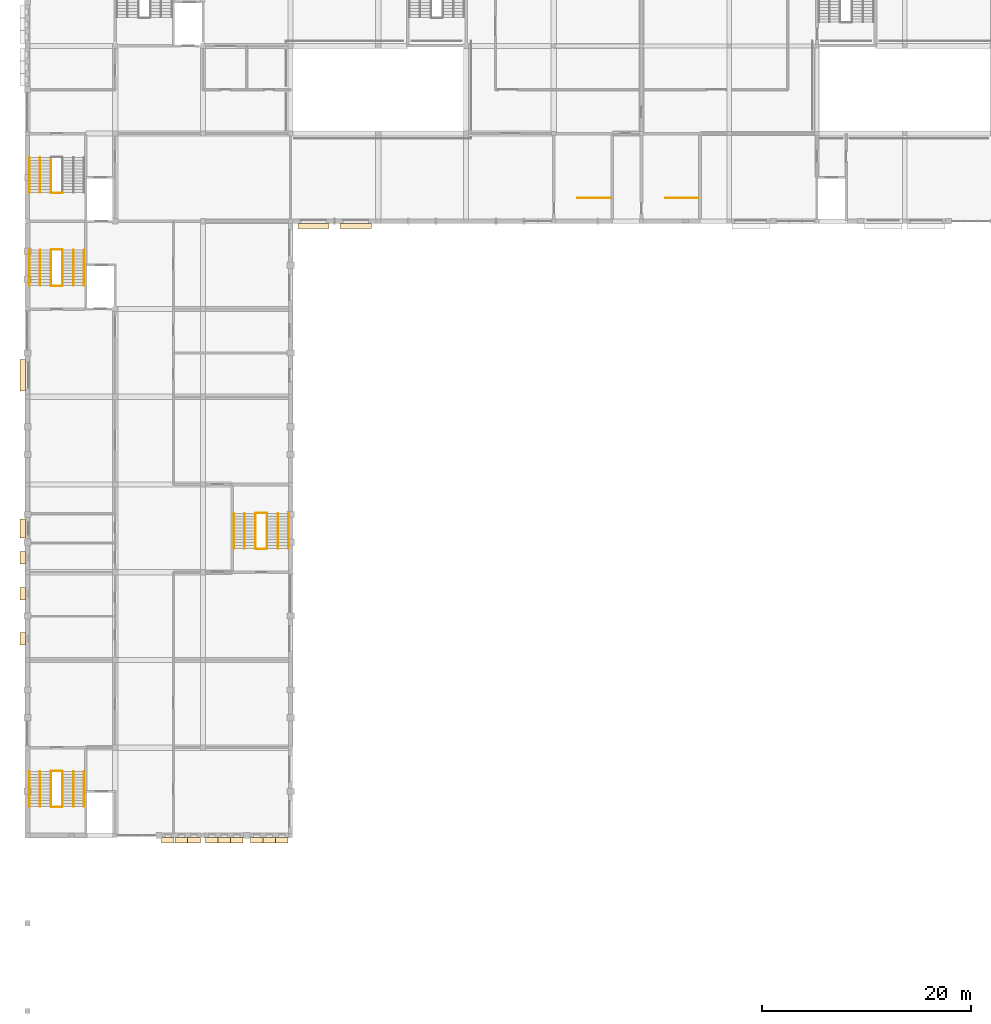
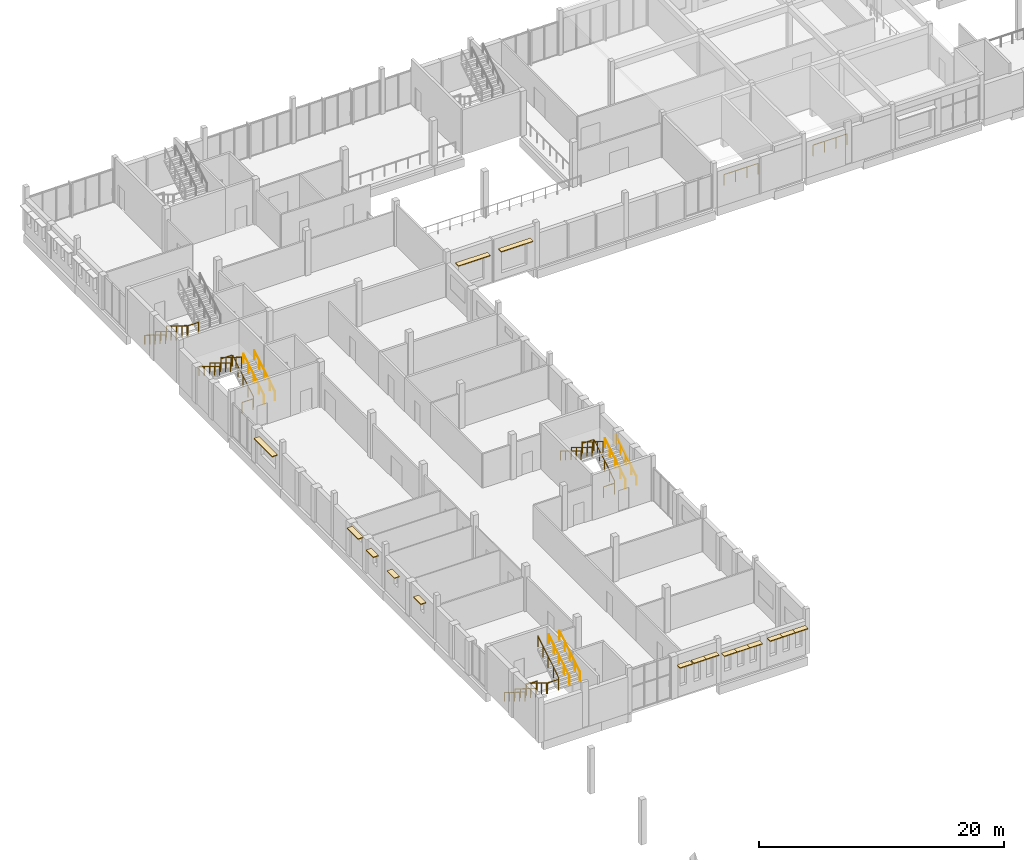
# One storey, part 35 of 38: 30 railings, 16 coverings.
"""IFC4 building model written with IfcOpenShell, lengths in metres."""

from ifc_helpers import new_model, si_unit, direction, frame, origin, origin_2d, place, context, subcontext, project, spatial, rectangle, circle, extrude, material, layer, layer_set, type_object, element, save


model = new_model("IFC4")

# Units and contexts
model_context = context("Model", 3, precision=1e-05, world=origin(), true_north=direction((0.0, 1.0)))
body_context = subcontext(model_context, "Body", "Model", "MODEL_VIEW")
ifc_project = project(units=[si_unit("LENGTHUNIT", "METRE"), si_unit("AREAUNIT", "SQUARE_METRE"), si_unit("VOLUMEUNIT", "CUBIC_METRE"), si_unit("PLANEANGLEUNIT", "RADIAN"), si_unit("MASSUNIT", "GRAM", prefix="KILO")], contexts=[model_context])

# Site, building, storey
site_placement = place(None, origin())
site = spatial("IfcSite", under=ifc_project, at=site_placement, CompositionType="ELEMENT")
building_placement = place(site_placement, origin())
building = spatial("IfcBuilding", under=site, at=building_placement, Name="Fescue Hill Polytechnic", CompositionType="ELEMENT")
storey_placement = place(building_placement, frame((0.0, 0.0, 18.0)))
storey = spatial("IfcBuildingStorey", under=building, at=storey_placement, Name="L04", CompositionType="ELEMENT", Elevation=18.0)

# Coverings
ifc_material_1 = material(Name="Precast concrete C40/50", Category="concrete")
ifc_layer = layer(ifc_material_1, 0.080078125)
ifc_layer_set = layer_set([ifc_layer], Name="Precast concrete C40/50")
covering_type = type_object("IfcCoveringType", Name="Shade blade precast 500x80", PredefinedType="CLADDING", material=ifc_layer_set)
covering_1_placement = place(storey_placement, frame((-0.43994140625, 94.449951171875, 2.75), z_axis=(0.0, 0.0, 1.0), x_axis=(0.0, -1.0, 0.0)))
element("IfcCovering", 1, at=covering_1_placement, inside=storey, type_object=covering_type, Name="SB-L04-V4-1", PredefinedType="CLADDING", context=body_context, shape_type="SweptSolid", body=[
    extrude(rectangle(XDim=3.0, YDim=0.5, at=origin_2d()), origin(), (0.0, 0.0, 1.0), 0.080078125),
])
covering_2_placement = place(storey_placement, frame((-0.43994140625, 79.800048828125, 3.050048828125), z_axis=(0.0, 0.0, 1.0), x_axis=(0.0, -1.0, 0.0)))
element("IfcCovering", 2, at=covering_2_placement, inside=storey, type_object=covering_type, Name="SB-L04-V4-2", PredefinedType="CLADDING", context=body_context, shape_type="SweptSolid", body=[
    extrude(rectangle(XDim=1.800048828125, YDim=0.5, at=origin_2d()), origin(), (0.0, 0.0, 1.0), 0.080078125),
])
for number, where, z_axis, x_axis, name in (
    (3, (-0.43994140625, 76.9833984375, 2.75), (0.0, 0.0, 1.0), (0.0, -1.0, 0.0), "SB-L04-V4-3"),
    (4, (-0.43994140625, 73.550048828125, 2.75), (0.0, 0.0, 1.0), (0.0, -1.0, 0.0), "SB-L04-V4-4"),
    (5, (-0.43994140625, 69.25, 2.75), (0.0, 0.0, 1.0), (0.0, -1.0, 0.0), "SB-L04-V4-5"),
    (6, (13.449951171875, 49.93994140625, 3.14990234375), (0.0, 0.0, 1.0), (1.0, 0.0, 0.0), "SB-L04-V4-6"),
    (7, (14.75, 49.93994140625, 3.14990234375), (0.0, 0.0, 1.0), (1.0, 0.0, 0.0), "SB-L04-V4-7"),
    (8, (15.949951171875, 49.93994140625, 3.14990234375), (0.0, 0.0, 1.0), (1.0, 0.0, 0.0), "SB-L04-V4-8"),
    (9, (17.64990234375, 49.93994140625, 2.849853515625), (0.0, 0.0, 1.0), (1.0, 0.0, 0.0), "SB-L04-V4-9"),
    (10, (18.85009765625, 49.93994140625, 2.849853515625), (0.0, 0.0, 1.0), (1.0, 0.0, 0.0), "SB-L04-V4-10"),
    (11, (20.050048828125, 49.93994140625, 2.849853515625), (0.0, 0.0, 1.0), (1.0, 0.0, 0.0), "SB-L04-V4-11"),
    (12, (21.949951171875, 49.93994140625, 2.849853515625), (0.0, 0.0, 1.0), (1.0, 0.0, 0.0), "SB-L04-V4-12"),
    (13, (23.14990234375, 49.93994140625, 2.849853515625), (0.0, 0.0, 1.0), (1.0, 0.0, 0.0), "SB-L04-V4-13"),
    (14, (24.35009765625, 49.93994140625, 2.849853515625), (0.0, 0.0, 1.0), (1.0, 0.0, 0.0), "SB-L04-V4-14"),
):
    element("IfcCovering", number, at=place(storey_placement, frame(where, z_axis=z_axis, x_axis=x_axis)), inside=storey, type_object=covering_type, Name=name, PredefinedType="CLADDING", context=body_context, shape_type="SweptSolid", body=[
        extrude(rectangle(XDim=1.199951171875, YDim=0.5, at=origin_2d()), origin(), (0.0, 0.0, 1.0), 0.080078125),
    ])
for number, where, z_axis, x_axis, name in (
    (15, (27.388916015625, 108.75, 3.050048828125), (0.0, 0.0, 1.0), (1.0, 0.0, 0.0), "SB-L04-V5-1"),
    (16, (31.436279296875, 108.75, 3.050048828125), (0.0, 0.0, 1.0), (1.0, 0.0, 0.0), "SB-L04-V5-2"),
):
    element("IfcCovering", number, at=place(storey_placement, frame(where, z_axis=z_axis, x_axis=x_axis)), inside=storey, type_object=covering_type, Name=name, PredefinedType="CLADDING", context=body_context, shape_type="SweptSolid", body=[
        extrude(rectangle(XDim=3.0, YDim=0.5, at=origin_2d()), origin(), (0.0, 0.0, 1.0), 0.080078125),
    ])

# Railings
ifc_material_2 = material(Name="Steel 350W (350 MPa)", Category="steel")
railing_type_1 = type_object("IfcRailingType", Name="Stair guard steel 1100", PredefinedType="GUARDRAIL", material=ifc_material_2)
railing_1_placement = place(storey_placement, frame((2.25, 56.52490234375, 0.173095703125)))
element("IfcRailing", 17, at=railing_1_placement, inside=storey, type_object=railing_type_1, Name="L04 ST-V4-1 stair guard 1", PredefinedType="GUARDRAIL", context=body_context, shape_type="SweptSolid", body=[
    extrude(circle(Radius=0.02392578125, at=origin_2d()), frame((0.0, 0.0, 1.076171875), z_axis=(0.0, -0.850606129759, 0.525803396734), x_axis=(1.0, 0.0, 0.0)), (0.0, 0.0, 1.0), 3.949951171875),
    extrude(circle(Radius=0.02099609375, at=origin_2d()), origin(), (0.0, 0.0, 1.0), 1.052001953125),
    extrude(circle(Radius=0.02099609375, at=origin_2d()), frame((0.0, -0.83984375, 0.519287109375)), (0.0, 0.0, 1.0), 1.052001953125),
    extrude(circle(Radius=0.02099609375, at=origin_2d()), frame((0.0, -1.679931640625, 1.03857421875)), (0.0, 0.0, 1.0), 1.052001953125),
    extrude(circle(Radius=0.02099609375, at=origin_2d()), frame((0.0, -2.52001953125, 1.5576171875)), (0.0, 0.0, 1.0), 1.052001953125),
    extrude(circle(Radius=0.02099609375, at=origin_2d()), frame((0.0, -3.35986328125, 2.076904296875)), (0.0, 0.0, 1.0), 1.052001953125),
])
railing_2_placement = place(storey_placement, frame((2.300048828125, 53.114990234375, 2.25)))
element("IfcRailing", 18, at=railing_2_placement, inside=storey, type_object=railing_type_1, Name="L04 ST-V4-1 stair guard 2", PredefinedType="GUARDRAIL", context=body_context, shape_type="SweptSolid", body=[
    extrude(circle(Radius=0.02392578125, at=origin_2d()), frame((0.0, 0.0, 1.076171875), z_axis=(1.0, 0.0, 0.0), x_axis=(0.0, 1.0, 0.0)), (0.0, 0.0, 1.0), 1.02490234375),
    extrude(circle(Radius=0.02099609375, at=origin_2d()), origin(), (0.0, 0.0, 1.0), 1.052001953125),
    extrude(circle(Radius=0.02099609375, at=origin_2d()), frame((1.02490234375, 0.0, 0.0)), (0.0, 0.0, 1.0), 1.052001953125),
])
railing_3_placement = place(storey_placement, frame((3.375, 53.1650390625, 2.423095703125)))
element("IfcRailing", 19, at=railing_3_placement, inside=storey, type_object=railing_type_1, Name="L04 ST-V4-1 stair guard 3", PredefinedType="GUARDRAIL", context=body_context, shape_type="SweptSolid", body=[
    extrude(circle(Radius=0.02392578125, at=origin_2d()), frame((0.0, 0.0, 1.076171875), z_axis=(0.0, 0.850606129759, 0.525803396734), x_axis=(-1.0, 0.0, 0.0)), (0.0, 0.0, 1.0), 3.949951171875),
    extrude(circle(Radius=0.02099609375, at=origin_2d()), origin(), (0.0, 0.0, 1.0), 1.052001953125),
    extrude(circle(Radius=0.02099609375, at=origin_2d()), frame((0.0, 0.83984375, 0.519287109375)), (0.0, 0.0, 1.0), 1.052001953125),
    extrude(circle(Radius=0.02099609375, at=origin_2d()), frame((0.0, 1.679931640625, 1.03857421875)), (0.0, 0.0, 1.0), 1.052001953125),
    extrude(circle(Radius=0.02099609375, at=origin_2d()), frame((0.0, 2.52001953125, 1.5576171875)), (0.0, 0.0, 1.0), 1.052001953125),
    extrude(circle(Radius=0.02099609375, at=origin_2d()), frame((0.0, 3.35986328125, 2.076904296875)), (0.0, 0.0, 1.0), 1.052001953125),
])
railing_4_placement = place(storey_placement, frame((2.300048828125, 56.574951171875, 0.0)))
element("IfcRailing", 20, at=railing_4_placement, inside=storey, type_object=railing_type_1, Name="L04 ST-V4-1 stair guard 4", PredefinedType="GUARDRAIL", context=body_context, shape_type="SweptSolid", body=[
    extrude(circle(Radius=0.02392578125, at=origin_2d()), frame((0.0, 0.0, 1.076171875), z_axis=(1.0, 0.0, 0.0), x_axis=(0.0, 1.0, 0.0)), (0.0, 0.0, 1.0), 1.02490234375),
    extrude(circle(Radius=0.02099609375, at=origin_2d()), origin(), (0.0, 0.0, 1.0), 1.052001953125),
    extrude(circle(Radius=0.02099609375, at=origin_2d()), frame((1.02490234375, 0.0, 0.0)), (0.0, 0.0, 1.0), 1.052001953125),
])
railing_5_placement = place(storey_placement, frame((3.375, 103.074951171875, 0.173095703125)))
element("IfcRailing", 21, at=railing_5_placement, inside=storey, type_object=railing_type_1, Name="L04 ST-V4-2 stair guard 1", PredefinedType="GUARDRAIL", context=body_context, shape_type="SweptSolid", body=[
    extrude(circle(Radius=0.02392578125, at=origin_2d()), frame((0.0, 0.0, 1.076171875), z_axis=(0.0, 0.850623216509, 0.525775754039), x_axis=(-1.0, 0.0, 0.0)), (0.0, 0.0, 1.0), 3.9501953125),
    extrude(circle(Radius=0.02099609375, at=origin_2d()), origin(), (0.0, 0.0, 1.0), 1.052001953125),
    extrude(circle(Radius=0.02099609375, at=origin_2d()), frame((0.0, 0.840087890625, 0.519287109375)), (0.0, 0.0, 1.0), 1.052001953125),
    extrude(circle(Radius=0.02099609375, at=origin_2d()), frame((0.0, 1.68017578125, 1.03857421875)), (0.0, 0.0, 1.0), 1.052001953125),
    extrude(circle(Radius=0.02099609375, at=origin_2d()), frame((0.0, 2.52001953125, 1.5576171875)), (0.0, 0.0, 1.0), 1.052001953125),
    extrude(circle(Radius=0.02099609375, at=origin_2d()), frame((0.0, 3.360107421875, 2.076904296875)), (0.0, 0.0, 1.0), 1.052001953125),
])
railing_6_placement = place(storey_placement, frame((3.324951171875, 106.485107421875, 2.25)))
element("IfcRailing", 22, at=railing_6_placement, inside=storey, type_object=railing_type_1, Name="L04 ST-V4-2 stair guard 2", PredefinedType="GUARDRAIL", context=body_context, shape_type="SweptSolid", body=[
    extrude(circle(Radius=0.02392578125, at=origin_2d()), frame((0.0, 0.0, 1.076171875), z_axis=(-1.0, 0.0, 0.0), x_axis=(0.0, -1.0, 0.0)), (0.0, 0.0, 1.0), 1.02490234375),
    extrude(circle(Radius=0.02099609375, at=origin_2d()), origin(), (0.0, 0.0, 1.0), 1.052001953125),
    extrude(circle(Radius=0.02099609375, at=origin_2d()), frame((-1.02490234375, 0.0, 0.0)), (0.0, 0.0, 1.0), 1.052001953125),
])
railing_7_placement = place(storey_placement, frame((2.25, 106.43505859375, 2.423095703125)))
element("IfcRailing", 23, at=railing_7_placement, inside=storey, type_object=railing_type_1, Name="L04 ST-V4-2 stair guard 3", PredefinedType="GUARDRAIL", context=body_context, shape_type="SweptSolid", body=[
    extrude(circle(Radius=0.02392578125, at=origin_2d()), frame((0.0, 0.0, 1.076171875), z_axis=(0.0, -0.850623216509, 0.525775754039), x_axis=(1.0, 0.0, 0.0)), (0.0, 0.0, 1.0), 3.9501953125),
    extrude(circle(Radius=0.02099609375, at=origin_2d()), origin(), (0.0, 0.0, 1.0), 1.052001953125),
    extrude(circle(Radius=0.02099609375, at=origin_2d()), frame((0.0, -0.840087890625, 0.519287109375)), (0.0, 0.0, 1.0), 1.052001953125),
    extrude(circle(Radius=0.02099609375, at=origin_2d()), frame((0.0, -1.68017578125, 1.03857421875)), (0.0, 0.0, 1.0), 1.052001953125),
    extrude(circle(Radius=0.02099609375, at=origin_2d()), frame((0.0, -2.52001953125, 1.5576171875)), (0.0, 0.0, 1.0), 1.052001953125),
    extrude(circle(Radius=0.02099609375, at=origin_2d()), frame((0.0, -3.360107421875, 2.076904296875)), (0.0, 0.0, 1.0), 1.052001953125),
])
railing_8_placement = place(storey_placement, frame((3.324951171875, 103.02490234375, 0.0)))
element("IfcRailing", 24, at=railing_8_placement, inside=storey, type_object=railing_type_1, Name="L04 ST-V4-2 stair guard 4", PredefinedType="GUARDRAIL", context=body_context, shape_type="SweptSolid", body=[
    extrude(circle(Radius=0.02392578125, at=origin_2d()), frame((0.0, 0.0, 1.076171875), z_axis=(-1.0, 0.0, 0.0), x_axis=(0.0, -1.0, 0.0)), (0.0, 0.0, 1.0), 1.02490234375),
    extrude(circle(Radius=0.02099609375, at=origin_2d()), origin(), (0.0, 0.0, 1.0), 1.052001953125),
    extrude(circle(Radius=0.02099609375, at=origin_2d()), frame((-1.02490234375, 0.0, 0.0)), (0.0, 0.0, 1.0), 1.052001953125),
])
railing_9_placement = place(storey_placement, frame((22.949951171875, 77.875, 0.173095703125)))
element("IfcRailing", 25, at=railing_9_placement, inside=storey, type_object=railing_type_1, Name="L04 ST-V4-3 stair guard 1", PredefinedType="GUARDRAIL", context=body_context, shape_type="SweptSolid", body=[
    extrude(circle(Radius=0.02392578125, at=origin_2d()), frame((0.0, 0.0, 1.076171875), z_axis=(0.0, 0.850623216509, 0.525775754039), x_axis=(-1.0, 0.0, 0.0)), (0.0, 0.0, 1.0), 3.9501953125),
    extrude(circle(Radius=0.02099609375, at=origin_2d()), origin(), (0.0, 0.0, 1.0), 1.052001953125),
    extrude(circle(Radius=0.02099609375, at=origin_2d()), frame((0.0, 0.840087890625, 0.519287109375)), (0.0, 0.0, 1.0), 1.052001953125),
    extrude(circle(Radius=0.02099609375, at=origin_2d()), frame((0.0, 1.68017578125, 1.03857421875)), (0.0, 0.0, 1.0), 1.052001953125),
    extrude(circle(Radius=0.02099609375, at=origin_2d()), frame((0.0, 2.52001953125, 1.5576171875)), (0.0, 0.0, 1.0), 1.052001953125),
    extrude(circle(Radius=0.02099609375, at=origin_2d()), frame((0.0, 3.360107421875, 2.076904296875)), (0.0, 0.0, 1.0), 1.052001953125),
])
railing_10_placement = place(storey_placement, frame((22.89990234375, 81.284912109375, 2.25)))
element("IfcRailing", 26, at=railing_10_placement, inside=storey, type_object=railing_type_1, Name="L04 ST-V4-3 stair guard 2", PredefinedType="GUARDRAIL", context=body_context, shape_type="SweptSolid", body=[
    extrude(circle(Radius=0.02392578125, at=origin_2d()), frame((0.0, 0.0, 1.076171875), z_axis=(-1.0, 0.0, 0.0), x_axis=(0.0, -1.0, 0.0)), (0.0, 0.0, 1.0), 1.02490234375),
    extrude(circle(Radius=0.02099609375, at=origin_2d()), origin(), (0.0, 0.0, 1.0), 1.052001953125),
    extrude(circle(Radius=0.02099609375, at=origin_2d()), frame((-1.02490234375, 0.0, 0.0)), (0.0, 0.0, 1.0), 1.052001953125),
])
railing_11_placement = place(storey_placement, frame((21.824951171875, 81.235107421875, 2.423095703125)))
element("IfcRailing", 27, at=railing_11_placement, inside=storey, type_object=railing_type_1, Name="L04 ST-V4-3 stair guard 3", PredefinedType="GUARDRAIL", context=body_context, shape_type="SweptSolid", body=[
    extrude(circle(Radius=0.02392578125, at=origin_2d()), frame((0.0, 0.0, 1.076171875), z_axis=(0.0, -0.850623216509, 0.525775754039), x_axis=(1.0, 0.0, 0.0)), (0.0, 0.0, 1.0), 3.9501953125),
    extrude(circle(Radius=0.02099609375, at=origin_2d()), origin(), (0.0, 0.0, 1.0), 1.052001953125),
    extrude(circle(Radius=0.02099609375, at=origin_2d()), frame((0.0, -0.840087890625, 0.519287109375)), (0.0, 0.0, 1.0), 1.052001953125),
    extrude(circle(Radius=0.02099609375, at=origin_2d()), frame((0.0, -1.68017578125, 1.03857421875)), (0.0, 0.0, 1.0), 1.052001953125),
    extrude(circle(Radius=0.02099609375, at=origin_2d()), frame((0.0, -2.52001953125, 1.5576171875)), (0.0, 0.0, 1.0), 1.052001953125),
    extrude(circle(Radius=0.02099609375, at=origin_2d()), frame((0.0, -3.360107421875, 2.076904296875)), (0.0, 0.0, 1.0), 1.052001953125),
])
railing_12_placement = place(storey_placement, frame((22.89990234375, 77.824951171875, 0.0)))
element("IfcRailing", 28, at=railing_12_placement, inside=storey, type_object=railing_type_1, Name="L04 ST-V4-3 stair guard 4", PredefinedType="GUARDRAIL", context=body_context, shape_type="SweptSolid", body=[
    extrude(circle(Radius=0.02392578125, at=origin_2d()), frame((0.0, 0.0, 1.076171875), z_axis=(-1.0, 0.0, 0.0), x_axis=(0.0, -1.0, 0.0)), (0.0, 0.0, 1.0), 1.02490234375),
    extrude(circle(Radius=0.02099609375, at=origin_2d()), origin(), (0.0, 0.0, 1.0), 1.052001953125),
    extrude(circle(Radius=0.02099609375, at=origin_2d()), frame((-1.02490234375, 0.0, 0.0)), (0.0, 0.0, 1.0), 1.052001953125),
])
railing_13_placement = place(storey_placement, frame((2.25, 115.324951171875, 0.173095703125)))
element("IfcRailing", 29, at=railing_13_placement, inside=storey, type_object=railing_type_1, Name="L04 ST-V5-1 stair guard 1", PredefinedType="GUARDRAIL", context=body_context, shape_type="SweptSolid", body=[
    extrude(circle(Radius=0.02392578125, at=origin_2d()), frame((0.0, 0.0, 1.076171875), z_axis=(0.0, -0.850606129759, 0.525803396734), x_axis=(1.0, 0.0, 0.0)), (0.0, 0.0, 1.0), 3.949951171875),
    extrude(circle(Radius=0.02099609375, at=origin_2d()), origin(), (0.0, 0.0, 1.0), 1.052001953125),
    extrude(circle(Radius=0.02099609375, at=origin_2d()), frame((0.0, -0.83984375, 0.519287109375)), (0.0, 0.0, 1.0), 1.052001953125),
    extrude(circle(Radius=0.02099609375, at=origin_2d()), frame((0.0, -1.679931640625, 1.03857421875)), (0.0, 0.0, 1.0), 1.052001953125),
    extrude(circle(Radius=0.02099609375, at=origin_2d()), frame((0.0, -2.52001953125, 1.5576171875)), (0.0, 0.0, 1.0), 1.052001953125),
    extrude(circle(Radius=0.02099609375, at=origin_2d()), frame((0.0, -3.35986328125, 2.076904296875)), (0.0, 0.0, 1.0), 1.052001953125),
])
railing_14_placement = place(storey_placement, frame((2.300048828125, 111.9150390625, 2.25)))
element("IfcRailing", 30, at=railing_14_placement, inside=storey, type_object=railing_type_1, Name="L04 ST-V5-1 stair guard 2", PredefinedType="GUARDRAIL", context=body_context, shape_type="SweptSolid", body=[
    extrude(circle(Radius=0.02392578125, at=origin_2d()), frame((0.0, 0.0, 1.076171875), z_axis=(1.0, 0.0, 0.0), x_axis=(0.0, 1.0, 0.0)), (0.0, 0.0, 1.0), 1.02490234375),
    extrude(circle(Radius=0.02099609375, at=origin_2d()), origin(), (0.0, 0.0, 1.0), 1.052001953125),
    extrude(circle(Radius=0.02099609375, at=origin_2d()), frame((1.02490234375, 0.0, 0.0)), (0.0, 0.0, 1.0), 1.052001953125),
])
for number, where, name in (
    (31, (55.875, 111.449951171875, 0.0), "L04 ST-V5-4 well guard 1"),
    (32, (64.27490234375, 111.449951171875, 0.0), "L04 ST-V4b-1 well guard 1"),
):
    element("IfcRailing", number, at=place(storey_placement, frame(where)), inside=storey, type_object=railing_type_1, Name=name, PredefinedType="GUARDRAIL", context=body_context, shape_type="SweptSolid", body=[
        extrude(circle(Radius=0.02392578125, at=origin_2d()), frame((0.0, 0.0, 1.076171875), z_axis=(-1.0, 0.0, 0.0), x_axis=(0.0, -1.0, 0.0)), (0.0, 0.0, 1.0), 3.199951171875),
        extrude(circle(Radius=0.02099609375, at=origin_2d()), origin(), (0.0, 0.0, 1.0), 1.052001953125),
        extrude(circle(Radius=0.02099609375, at=origin_2d()), frame((-1.066650390625, 0.0, 0.0)), (0.0, 0.0, 1.0), 1.052001953125),
        extrude(circle(Radius=0.02099609375, at=origin_2d()), frame((-2.13330078125, 0.0, 0.0)), (0.0, 0.0, 1.0), 1.052001953125),
        extrude(circle(Radius=0.02099609375, at=origin_2d()), frame((-3.199951171875, 0.0, 0.0)), (0.0, 0.0, 1.0), 1.052001953125),
    ])
railing_type_2 = type_object("IfcRailingType", Name="Stair handrail steel 900", PredefinedType="HANDRAIL", material=ifc_material_2)
railing_15_placement = place(storey_placement, frame((0.199951171875, 56.52490234375, 0.173095703125)))
element("IfcRailing", 33, at=railing_15_placement, inside=storey, type_object=railing_type_2, Name="L04 ST-V4-1 stair handrail 1", PredefinedType="HANDRAIL", context=body_context, shape_type="SweptSolid", body=[
    extrude(circle(Radius=0.02392578125, at=origin_2d()), frame((0.0, 0.0, 0.8759765625), z_axis=(0.0, -0.850606129759, 0.525803396734), x_axis=(1.0, 0.0, 0.0)), (0.0, 0.0, 1.0), 3.949951171875),
    extrude(circle(Radius=0.02099609375, at=origin_2d()), origin(), (0.0, 0.0, 1.0), 0.851806640625),
    extrude(circle(Radius=0.02099609375, at=origin_2d()), frame((0.0, -0.83984375, 0.519287109375)), (0.0, 0.0, 1.0), 0.851806640625),
    extrude(circle(Radius=0.02099609375, at=origin_2d()), frame((0.0, -1.679931640625, 1.03857421875)), (0.0, 0.0, 1.0), 0.851806640625),
    extrude(circle(Radius=0.02099609375, at=origin_2d()), frame((0.0, -2.52001953125, 1.5576171875)), (0.0, 0.0, 1.0), 0.851806640625),
    extrude(circle(Radius=0.02099609375, at=origin_2d()), frame((0.0, -3.35986328125, 2.076904296875)), (0.0, 0.0, 1.0), 0.851806640625),
])
railing_16_placement = place(storey_placement, frame((5.425048828125, 53.1650390625, 2.423095703125)))
element("IfcRailing", 34, at=railing_16_placement, inside=storey, type_object=railing_type_2, Name="L04 ST-V4-1 stair handrail 2", PredefinedType="HANDRAIL", context=body_context, shape_type="SweptSolid", body=[
    extrude(circle(Radius=0.02392578125, at=origin_2d()), frame((0.0, 0.0, 0.8759765625), z_axis=(0.0, 0.850606129759, 0.525803396734), x_axis=(-1.0, 0.0, 0.0)), (0.0, 0.0, 1.0), 3.949951171875),
    extrude(circle(Radius=0.02099609375, at=origin_2d()), origin(), (0.0, 0.0, 1.0), 0.851806640625),
    extrude(circle(Radius=0.02099609375, at=origin_2d()), frame((0.0, 0.83984375, 0.519287109375)), (0.0, 0.0, 1.0), 0.851806640625),
    extrude(circle(Radius=0.02099609375, at=origin_2d()), frame((0.0, 1.679931640625, 1.03857421875)), (0.0, 0.0, 1.0), 0.851806640625),
    extrude(circle(Radius=0.02099609375, at=origin_2d()), frame((0.0, 2.52001953125, 1.5576171875)), (0.0, 0.0, 1.0), 0.851806640625),
    extrude(circle(Radius=0.02099609375, at=origin_2d()), frame((0.0, 3.35986328125, 2.076904296875)), (0.0, 0.0, 1.0), 0.851806640625),
])
railing_17_placement = place(storey_placement, frame((1.22509765625, 56.52490234375, 0.173095703125)))
element("IfcRailing", 35, at=railing_17_placement, inside=storey, type_object=railing_type_2, Name="L04 ST-V4-1 stair handrail 3", PredefinedType="HANDRAIL", context=body_context, shape_type="SweptSolid", body=[
    extrude(circle(Radius=0.02392578125, at=origin_2d()), frame((0.0, 0.0, 0.8759765625), z_axis=(0.0, -0.850606129759, 0.525803396734), x_axis=(1.0, 0.0, 0.0)), (0.0, 0.0, 1.0), 3.949951171875),
    extrude(circle(Radius=0.02099609375, at=origin_2d()), origin(), (0.0, 0.0, 1.0), 0.851806640625),
    extrude(circle(Radius=0.02099609375, at=origin_2d()), frame((0.0, -0.83984375, 0.519287109375)), (0.0, 0.0, 1.0), 0.851806640625),
    extrude(circle(Radius=0.02099609375, at=origin_2d()), frame((0.0, -1.679931640625, 1.03857421875)), (0.0, 0.0, 1.0), 0.851806640625),
    extrude(circle(Radius=0.02099609375, at=origin_2d()), frame((0.0, -2.52001953125, 1.5576171875)), (0.0, 0.0, 1.0), 0.851806640625),
    extrude(circle(Radius=0.02099609375, at=origin_2d()), frame((0.0, -3.35986328125, 2.076904296875)), (0.0, 0.0, 1.0), 0.851806640625),
])
railing_18_placement = place(storey_placement, frame((4.39990234375, 53.1650390625, 2.423095703125)))
element("IfcRailing", 36, at=railing_18_placement, inside=storey, type_object=railing_type_2, Name="L04 ST-V4-1 stair handrail 4", PredefinedType="HANDRAIL", context=body_context, shape_type="SweptSolid", body=[
    extrude(circle(Radius=0.02392578125, at=origin_2d()), frame((0.0, 0.0, 0.8759765625), z_axis=(0.0, 0.850606129759, 0.525803396734), x_axis=(-1.0, 0.0, 0.0)), (0.0, 0.0, 1.0), 3.949951171875),
    extrude(circle(Radius=0.02099609375, at=origin_2d()), origin(), (0.0, 0.0, 1.0), 0.851806640625),
    extrude(circle(Radius=0.02099609375, at=origin_2d()), frame((0.0, 0.83984375, 0.519287109375)), (0.0, 0.0, 1.0), 0.851806640625),
    extrude(circle(Radius=0.02099609375, at=origin_2d()), frame((0.0, 1.679931640625, 1.03857421875)), (0.0, 0.0, 1.0), 0.851806640625),
    extrude(circle(Radius=0.02099609375, at=origin_2d()), frame((0.0, 2.52001953125, 1.5576171875)), (0.0, 0.0, 1.0), 0.851806640625),
    extrude(circle(Radius=0.02099609375, at=origin_2d()), frame((0.0, 3.35986328125, 2.076904296875)), (0.0, 0.0, 1.0), 0.851806640625),
])
railing_19_placement = place(storey_placement, frame((5.425048828125, 103.074951171875, 0.173095703125)))
element("IfcRailing", 37, at=railing_19_placement, inside=storey, type_object=railing_type_2, Name="L04 ST-V4-2 stair handrail 1", PredefinedType="HANDRAIL", context=body_context, shape_type="SweptSolid", body=[
    extrude(circle(Radius=0.02392578125, at=origin_2d()), frame((0.0, 0.0, 0.8759765625), z_axis=(0.0, 0.850623216509, 0.525775754039), x_axis=(-1.0, 0.0, 0.0)), (0.0, 0.0, 1.0), 3.9501953125),
    extrude(circle(Radius=0.02099609375, at=origin_2d()), origin(), (0.0, 0.0, 1.0), 0.851806640625),
    extrude(circle(Radius=0.02099609375, at=origin_2d()), frame((0.0, 0.840087890625, 0.519287109375)), (0.0, 0.0, 1.0), 0.851806640625),
    extrude(circle(Radius=0.02099609375, at=origin_2d()), frame((0.0, 1.68017578125, 1.03857421875)), (0.0, 0.0, 1.0), 0.851806640625),
    extrude(circle(Radius=0.02099609375, at=origin_2d()), frame((0.0, 2.52001953125, 1.5576171875)), (0.0, 0.0, 1.0), 0.851806640625),
    extrude(circle(Radius=0.02099609375, at=origin_2d()), frame((0.0, 3.360107421875, 2.076904296875)), (0.0, 0.0, 1.0), 0.851806640625),
])
railing_20_placement = place(storey_placement, frame((0.199951171875, 106.43505859375, 2.423095703125)))
element("IfcRailing", 38, at=railing_20_placement, inside=storey, type_object=railing_type_2, Name="L04 ST-V4-2 stair handrail 2", PredefinedType="HANDRAIL", context=body_context, shape_type="SweptSolid", body=[
    extrude(circle(Radius=0.02392578125, at=origin_2d()), frame((0.0, 0.0, 0.8759765625), z_axis=(0.0, -0.850623216509, 0.525775754039), x_axis=(1.0, 0.0, 0.0)), (0.0, 0.0, 1.0), 3.9501953125),
    extrude(circle(Radius=0.02099609375, at=origin_2d()), origin(), (0.0, 0.0, 1.0), 0.851806640625),
    extrude(circle(Radius=0.02099609375, at=origin_2d()), frame((0.0, -0.840087890625, 0.519287109375)), (0.0, 0.0, 1.0), 0.851806640625),
    extrude(circle(Radius=0.02099609375, at=origin_2d()), frame((0.0, -1.68017578125, 1.03857421875)), (0.0, 0.0, 1.0), 0.851806640625),
    extrude(circle(Radius=0.02099609375, at=origin_2d()), frame((0.0, -2.52001953125, 1.5576171875)), (0.0, 0.0, 1.0), 0.851806640625),
    extrude(circle(Radius=0.02099609375, at=origin_2d()), frame((0.0, -3.360107421875, 2.076904296875)), (0.0, 0.0, 1.0), 0.851806640625),
])
railing_21_placement = place(storey_placement, frame((4.39990234375, 103.074951171875, 0.173095703125)))
element("IfcRailing", 39, at=railing_21_placement, inside=storey, type_object=railing_type_2, Name="L04 ST-V4-2 stair handrail 3", PredefinedType="HANDRAIL", context=body_context, shape_type="SweptSolid", body=[
    extrude(circle(Radius=0.02392578125, at=origin_2d()), frame((0.0, 0.0, 0.8759765625), z_axis=(0.0, 0.850623216509, 0.525775754039), x_axis=(-1.0, 0.0, 0.0)), (0.0, 0.0, 1.0), 3.9501953125),
    extrude(circle(Radius=0.02099609375, at=origin_2d()), origin(), (0.0, 0.0, 1.0), 0.851806640625),
    extrude(circle(Radius=0.02099609375, at=origin_2d()), frame((0.0, 0.840087890625, 0.519287109375)), (0.0, 0.0, 1.0), 0.851806640625),
    extrude(circle(Radius=0.02099609375, at=origin_2d()), frame((0.0, 1.68017578125, 1.03857421875)), (0.0, 0.0, 1.0), 0.851806640625),
    extrude(circle(Radius=0.02099609375, at=origin_2d()), frame((0.0, 2.52001953125, 1.5576171875)), (0.0, 0.0, 1.0), 0.851806640625),
    extrude(circle(Radius=0.02099609375, at=origin_2d()), frame((0.0, 3.360107421875, 2.076904296875)), (0.0, 0.0, 1.0), 0.851806640625),
])
railing_22_placement = place(storey_placement, frame((1.22509765625, 106.43505859375, 2.423095703125)))
element("IfcRailing", 40, at=railing_22_placement, inside=storey, type_object=railing_type_2, Name="L04 ST-V4-2 stair handrail 4", PredefinedType="HANDRAIL", context=body_context, shape_type="SweptSolid", body=[
    extrude(circle(Radius=0.02392578125, at=origin_2d()), frame((0.0, 0.0, 0.8759765625), z_axis=(0.0, -0.850623216509, 0.525775754039), x_axis=(1.0, 0.0, 0.0)), (0.0, 0.0, 1.0), 3.9501953125),
    extrude(circle(Radius=0.02099609375, at=origin_2d()), origin(), (0.0, 0.0, 1.0), 0.851806640625),
    extrude(circle(Radius=0.02099609375, at=origin_2d()), frame((0.0, -0.840087890625, 0.519287109375)), (0.0, 0.0, 1.0), 0.851806640625),
    extrude(circle(Radius=0.02099609375, at=origin_2d()), frame((0.0, -1.68017578125, 1.03857421875)), (0.0, 0.0, 1.0), 0.851806640625),
    extrude(circle(Radius=0.02099609375, at=origin_2d()), frame((0.0, -2.52001953125, 1.5576171875)), (0.0, 0.0, 1.0), 0.851806640625),
    extrude(circle(Radius=0.02099609375, at=origin_2d()), frame((0.0, -3.360107421875, 2.076904296875)), (0.0, 0.0, 1.0), 0.851806640625),
])
railing_23_placement = place(storey_placement, frame((25.0, 77.875, 0.173095703125)))
element("IfcRailing", 41, at=railing_23_placement, inside=storey, type_object=railing_type_2, Name="L04 ST-V4-3 stair handrail 1", PredefinedType="HANDRAIL", context=body_context, shape_type="SweptSolid", body=[
    extrude(circle(Radius=0.02392578125, at=origin_2d()), frame((0.0, 0.0, 0.8759765625), z_axis=(0.0, 0.850623216509, 0.525775754039), x_axis=(-1.0, 0.0, 0.0)), (0.0, 0.0, 1.0), 3.9501953125),
    extrude(circle(Radius=0.02099609375, at=origin_2d()), origin(), (0.0, 0.0, 1.0), 0.851806640625),
    extrude(circle(Radius=0.02099609375, at=origin_2d()), frame((0.0, 0.840087890625, 0.519287109375)), (0.0, 0.0, 1.0), 0.851806640625),
    extrude(circle(Radius=0.02099609375, at=origin_2d()), frame((0.0, 1.68017578125, 1.03857421875)), (0.0, 0.0, 1.0), 0.851806640625),
    extrude(circle(Radius=0.02099609375, at=origin_2d()), frame((0.0, 2.52001953125, 1.5576171875)), (0.0, 0.0, 1.0), 0.851806640625),
    extrude(circle(Radius=0.02099609375, at=origin_2d()), frame((0.0, 3.360107421875, 2.076904296875)), (0.0, 0.0, 1.0), 0.851806640625),
])
railing_24_placement = place(storey_placement, frame((19.77490234375, 81.235107421875, 2.423095703125)))
element("IfcRailing", 42, at=railing_24_placement, inside=storey, type_object=railing_type_2, Name="L04 ST-V4-3 stair handrail 2", PredefinedType="HANDRAIL", context=body_context, shape_type="SweptSolid", body=[
    extrude(circle(Radius=0.02392578125, at=origin_2d()), frame((0.0, 0.0, 0.8759765625), z_axis=(0.0, -0.850623216509, 0.525775754039), x_axis=(1.0, 0.0, 0.0)), (0.0, 0.0, 1.0), 3.9501953125),
    extrude(circle(Radius=0.02099609375, at=origin_2d()), origin(), (0.0, 0.0, 1.0), 0.851806640625),
    extrude(circle(Radius=0.02099609375, at=origin_2d()), frame((0.0, -0.840087890625, 0.519287109375)), (0.0, 0.0, 1.0), 0.851806640625),
    extrude(circle(Radius=0.02099609375, at=origin_2d()), frame((0.0, -1.68017578125, 1.03857421875)), (0.0, 0.0, 1.0), 0.851806640625),
    extrude(circle(Radius=0.02099609375, at=origin_2d()), frame((0.0, -2.52001953125, 1.5576171875)), (0.0, 0.0, 1.0), 0.851806640625),
    extrude(circle(Radius=0.02099609375, at=origin_2d()), frame((0.0, -3.360107421875, 2.076904296875)), (0.0, 0.0, 1.0), 0.851806640625),
])
railing_25_placement = place(storey_placement, frame((23.97509765625, 77.875, 0.173095703125)))
element("IfcRailing", 43, at=railing_25_placement, inside=storey, type_object=railing_type_2, Name="L04 ST-V4-3 stair handrail 3", PredefinedType="HANDRAIL", context=body_context, shape_type="SweptSolid", body=[
    extrude(circle(Radius=0.02392578125, at=origin_2d()), frame((0.0, 0.0, 0.8759765625), z_axis=(0.0, 0.850623216509, 0.525775754039), x_axis=(-1.0, 0.0, 0.0)), (0.0, 0.0, 1.0), 3.9501953125),
    extrude(circle(Radius=0.02099609375, at=origin_2d()), origin(), (0.0, 0.0, 1.0), 0.851806640625),
    extrude(circle(Radius=0.02099609375, at=origin_2d()), frame((0.0, 0.840087890625, 0.519287109375)), (0.0, 0.0, 1.0), 0.851806640625),
    extrude(circle(Radius=0.02099609375, at=origin_2d()), frame((0.0, 1.68017578125, 1.03857421875)), (0.0, 0.0, 1.0), 0.851806640625),
    extrude(circle(Radius=0.02099609375, at=origin_2d()), frame((0.0, 2.52001953125, 1.5576171875)), (0.0, 0.0, 1.0), 0.851806640625),
    extrude(circle(Radius=0.02099609375, at=origin_2d()), frame((0.0, 3.360107421875, 2.076904296875)), (0.0, 0.0, 1.0), 0.851806640625),
])
railing_26_placement = place(storey_placement, frame((20.800048828125, 81.235107421875, 2.423095703125)))
element("IfcRailing", 44, at=railing_26_placement, inside=storey, type_object=railing_type_2, Name="L04 ST-V4-3 stair handrail 4", PredefinedType="HANDRAIL", context=body_context, shape_type="SweptSolid", body=[
    extrude(circle(Radius=0.02392578125, at=origin_2d()), frame((0.0, 0.0, 0.8759765625), z_axis=(0.0, -0.850623216509, 0.525775754039), x_axis=(1.0, 0.0, 0.0)), (0.0, 0.0, 1.0), 3.9501953125),
    extrude(circle(Radius=0.02099609375, at=origin_2d()), origin(), (0.0, 0.0, 1.0), 0.851806640625),
    extrude(circle(Radius=0.02099609375, at=origin_2d()), frame((0.0, -0.840087890625, 0.519287109375)), (0.0, 0.0, 1.0), 0.851806640625),
    extrude(circle(Radius=0.02099609375, at=origin_2d()), frame((0.0, -1.68017578125, 1.03857421875)), (0.0, 0.0, 1.0), 0.851806640625),
    extrude(circle(Radius=0.02099609375, at=origin_2d()), frame((0.0, -2.52001953125, 1.5576171875)), (0.0, 0.0, 1.0), 0.851806640625),
    extrude(circle(Radius=0.02099609375, at=origin_2d()), frame((0.0, -3.360107421875, 2.076904296875)), (0.0, 0.0, 1.0), 0.851806640625),
])
for number, where, name in (
    (45, (0.199951171875, 115.324951171875, 0.173095703125), "L04 ST-V5-1 stair handrail 1"),
    (46, (1.22509765625, 115.324951171875, 0.173095703125), "L04 ST-V5-1 stair handrail 3"),
):
    element("IfcRailing", number, at=place(storey_placement, frame(where)), inside=storey, type_object=railing_type_2, Name=name, PredefinedType="HANDRAIL", context=body_context, shape_type="SweptSolid", body=[
        extrude(circle(Radius=0.02392578125, at=origin_2d()), frame((0.0, 0.0, 0.8759765625), z_axis=(0.0, -0.850606129759, 0.525803396734), x_axis=(1.0, 0.0, 0.0)), (0.0, 0.0, 1.0), 3.949951171875),
        extrude(circle(Radius=0.02099609375, at=origin_2d()), origin(), (0.0, 0.0, 1.0), 0.851806640625),
        extrude(circle(Radius=0.02099609375, at=origin_2d()), frame((0.0, -0.83984375, 0.519287109375)), (0.0, 0.0, 1.0), 0.851806640625),
        extrude(circle(Radius=0.02099609375, at=origin_2d()), frame((0.0, -1.679931640625, 1.03857421875)), (0.0, 0.0, 1.0), 0.851806640625),
        extrude(circle(Radius=0.02099609375, at=origin_2d()), frame((0.0, -2.52001953125, 1.5576171875)), (0.0, 0.0, 1.0), 0.851806640625),
        extrude(circle(Radius=0.02099609375, at=origin_2d()), frame((0.0, -3.35986328125, 2.076904296875)), (0.0, 0.0, 1.0), 0.851806640625),
    ])

save(model, "model.ifc")
